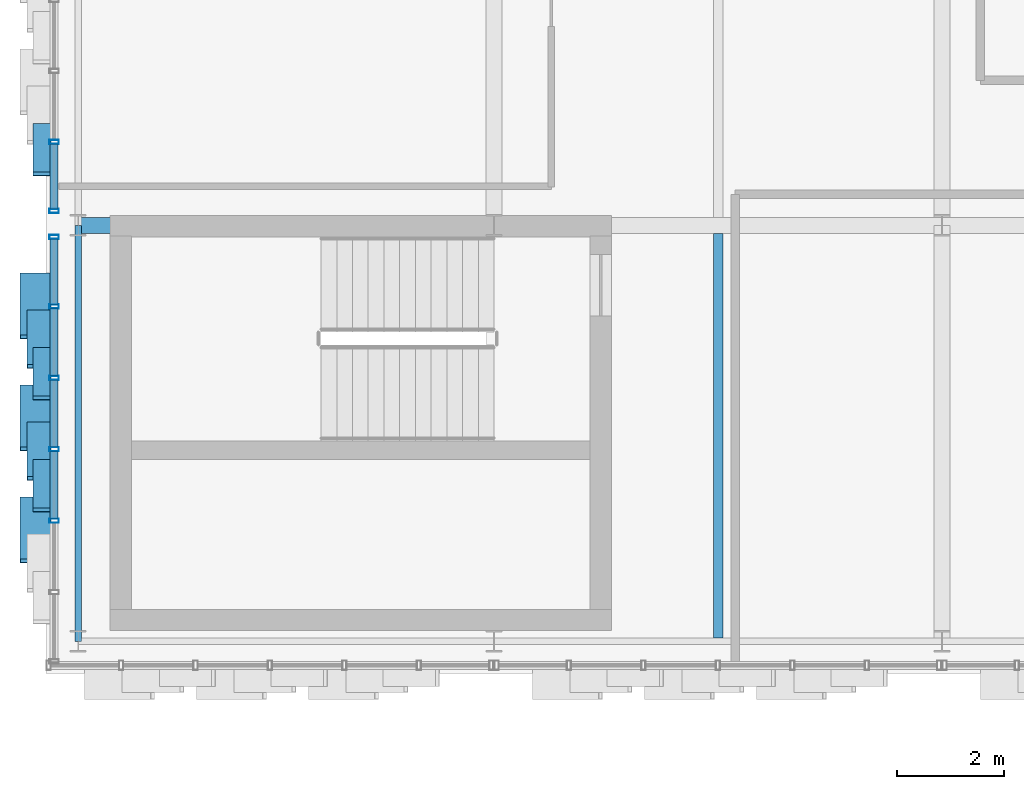
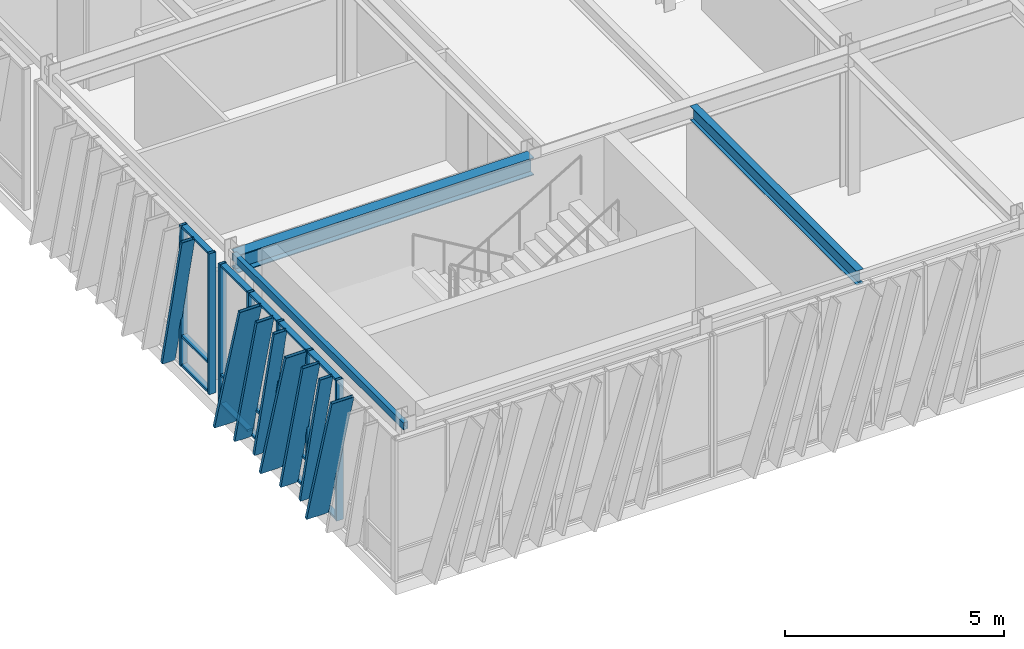
# One storey, part 34 of 127: 30 members, 3 beams, 2 elements without a shape of their own.
"""IFC4 building model written with IfcOpenShell, lengths in metres."""

from ifc_helpers import new_model, si_unit, direction, frame, origin, origin_2d, place, context, subcontext, project, spatial, hollow_rectangle, i_section, extrude, material, layer, layer_set, material_profile, profile_set, type_object, element, aggregate, save


model = new_model("IFC4")

# Units and contexts
model_context = context("Model", 3, precision=1e-05, world=origin(), true_north=direction((0.0, 1.0)))
body_context = subcontext(model_context, "Body", "Model", "MODEL_VIEW")
ifc_project = project(units=[si_unit("LENGTHUNIT", "METRE"), si_unit("AREAUNIT", "SQUARE_METRE"), si_unit("VOLUMEUNIT", "CUBIC_METRE"), si_unit("PLANEANGLEUNIT", "RADIAN"), si_unit("MASSUNIT", "GRAM", prefix="KILO")], contexts=[model_context])

# Site, building, storey
site_placement = place(None, origin())
site = spatial("IfcSite", under=ifc_project, at=site_placement, CompositionType="ELEMENT")
building_placement = place(site_placement, origin())
building = spatial("IfcBuilding", under=site, at=building_placement, Name="Zayran Congress Hotel", CompositionType="ELEMENT")
storey_placement = place(building_placement, frame((0.0, 0.0, 10.800048828125)))
storey = spatial("IfcBuildingStorey", under=building, at=storey_placement, Name="L02", CompositionType="ELEMENT", Elevation=10.800048828125)

# Beams
ifc_material_1 = material(Name="Steel S355", Category="steel")
ifc_material_profile_1 = material_profile(ifc_material_1, i_section(OverallWidth=0.300048828125, OverallDepth=0.489990234375, WebThickness=0.011962890625, FlangeThickness=0.02294921875, at=origin_2d()), Name="HEA 500")
ifc_profile_set_1 = profile_set([ifc_material_profile_1], Name="Steel S355")
beam_type_1 = type_object("IfcBeamType", Name="TP-BM-05", PredefinedType="BEAM", material=ifc_profile_set_1)
beam_1_placement = place(storey_placement, frame((9.0, 76.0, 3.675048828125), z_axis=(1.0, 0.0, 0.0), x_axis=(0.0, 1.0, 0.0)))
element("IfcBeam", 1, at=beam_1_placement, inside=storey, type_object=beam_type_1, Name="BM-V1-L02-0662", PredefinedType="BEAM", context=body_context, shape_type="SweptSolid", body=[
    extrude(i_section(OverallWidth=0.300048828125, OverallDepth=0.489990234375, WebThickness=0.011962890625, FlangeThickness=0.02294921875, at=origin_2d()), origin(), (0.0, 0.0, 1.0), 7.800048828125),
])
ifc_material_profile_2 = material_profile(ifc_material_1, i_section(OverallWidth=0.179931640625, OverallDepth=0.39990234375, WebThickness=0.008544921875, FlangeThickness=0.013427734375, at=origin_2d()), Name="IPE 400")
ifc_profile_set_2 = profile_set([ifc_material_profile_2], Name="Steel S355")
beam_type_2 = type_object("IfcBeamType", Name="TP-JS-03", PredefinedType="JOIST", material=ifc_profile_set_2)
beam_2_placement = place(storey_placement, frame((21.0, 68.260009765625, 3.719970703125), z_axis=(0.0, 1.0, 0.0), x_axis=(-1.0, 0.0, 0.0)))
element("IfcBeam", 2, at=beam_2_placement, inside=storey, type_object=beam_type_2, Name="JST-V1-L02-0759", PredefinedType="JOIST", context=body_context, shape_type="SweptSolid", body=[
    extrude(i_section(OverallWidth=0.179931640625, OverallDepth=0.39990234375, WebThickness=0.008544921875, FlangeThickness=0.013427734375, at=origin_2d()), origin(), (0.0, 0.0, 1.0), 7.590087890625),
])
ifc_material_profile_3 = material_profile(ifc_material_1, hollow_rectangle(XDim=0.1201171875, YDim=0.199951171875, WallThickness=0.008056640625, at=origin_2d()), Name="RHS 200x120x8")
ifc_profile_set_3 = profile_set([ifc_material_profile_3], Name="Steel S355")
beam_type_3 = type_object("IfcBeamType", Name="TP-SP-02", PredefinedType="SPANDREL", material=ifc_profile_set_3)
beam_3_placement = place(storey_placement, frame((9.0, 68.199951171875, 3.820068359375), z_axis=(0.0, 1.0, 0.0), x_axis=(-1.0, 0.0, 0.0)))
element("IfcBeam", 3, at=beam_3_placement, inside=storey, type_object=beam_type_3, Name="BM-V1-L02-0710", PredefinedType="SPANDREL", context=body_context, shape_type="SweptSolid", body=[
    extrude(hollow_rectangle(XDim=0.1201171875, YDim=0.199951171875, WallThickness=0.008056640625, at=origin_2d()), origin(), (0.0, 0.0, 1.0), 7.800048828125),
])

# Curtain wall, members
ifc_material_2 = material(Name="Anodised aluminium and low-E insulated glass", Category="aluminium")
ifc_layer_1 = layer(ifc_material_2, 0.179931640625)
ifc_layer_set_1 = layer_set([ifc_layer_1], Name="Anodised aluminium and low-E insulated glass")
curtain_wall_type_1 = type_object("IfcCurtainWallType", Name="CW-V1W-L02-CW-31-8040-3920", PredefinedType="USERDEFINED", material=ifc_layer_set_1)
curtain_wall_1_placement = place(storey_placement, origin())
curtain_wall_1 = element("IfcCurtainWall", 4, at=curtain_wall_1_placement, inside=storey, type_object=curtain_wall_type_1, Name="CW-V1W-L02-0", ObjectType="CURTAIN WALL", PredefinedType="USERDEFINED")
ifc_material_3 = material(Name="Anodised aluminium framing", Category="aluminium")
ifc_material_profile_4 = material_profile(ifc_material_3, hollow_rectangle(XDim=0.080078125, YDim=0.179931640625, WallThickness=0.0048828125, at=origin_2d()), Name="RHS 180x80x5")
ifc_profile_set_4 = profile_set([ifc_material_profile_4], Name="Anodised aluminium framing")
member_type_1 = type_object("IfcMemberType", Name="TP-CWM-01", PredefinedType="MULLION", material=ifc_profile_set_4)
member_1_placement = place(storey_placement, frame((8.550048828125, 75.780029296875, 0.0), z_axis=(0.0, 0.0, 1.0), x_axis=(0.0, 1.0, 0.0)))
member_1 = element("IfcMember", 5, at=member_1_placement, type_object=member_type_1, Name="CW-V1W-L02-0-M00", PredefinedType="MULLION", context=body_context, shape_type="SweptSolid", body=[
    extrude(hollow_rectangle(XDim=0.080078125, YDim=0.179931640625, WallThickness=0.0048828125, at=origin_2d()), origin(), (0.0, 0.0, 1.0), 3.919921875),
])
member_2_placement = place(storey_placement, frame((8.550048828125, 74.47998046875, 0.0), z_axis=(0.0, 0.0, 1.0), x_axis=(0.0, 1.0, 0.0)))
member_2 = element("IfcMember", 6, at=member_2_placement, type_object=member_type_1, Name="CW-V1W-L02-0-M01", PredefinedType="MULLION", context=body_context, shape_type="SweptSolid", body=[
    extrude(hollow_rectangle(XDim=0.080078125, YDim=0.179931640625, WallThickness=0.0048828125, at=origin_2d()), origin(), (0.0, 0.0, 1.0), 3.919921875),
])
member_3_placement = place(storey_placement, frame((8.550048828125, 73.139892578125, 0.0), z_axis=(0.0, 0.0, 1.0), x_axis=(0.0, 1.0, 0.0)))
member_3 = element("IfcMember", 7, at=member_3_placement, type_object=member_type_1, Name="CW-V1W-L02-0-M02", PredefinedType="MULLION", context=body_context, shape_type="SweptSolid", body=[
    extrude(hollow_rectangle(XDim=0.080078125, YDim=0.179931640625, WallThickness=0.0048828125, at=origin_2d()), origin(), (0.0, 0.0, 1.0), 3.919921875),
])
member_4_placement = place(storey_placement, frame((8.550048828125, 71.800048828125, 0.0), z_axis=(0.0, 0.0, 1.0), x_axis=(0.0, 1.0, 0.0)))
member_4 = element("IfcMember", 8, at=member_4_placement, type_object=member_type_1, Name="CW-V1W-L02-0-M03", PredefinedType="MULLION", context=body_context, shape_type="SweptSolid", body=[
    extrude(hollow_rectangle(XDim=0.080078125, YDim=0.179931640625, WallThickness=0.0048828125, at=origin_2d()), origin(), (0.0, 0.0, 1.0), 3.919921875),
])
member_5_placement = place(storey_placement, frame((8.550048828125, 70.4599609375, 0.0), z_axis=(0.0, 0.0, 1.0), x_axis=(0.0, 1.0, 0.0)))
member_5 = element("IfcMember", 9, at=member_5_placement, type_object=member_type_1, Name="CW-V1W-L02-0-M04", PredefinedType="MULLION", context=body_context, shape_type="SweptSolid", body=[
    extrude(hollow_rectangle(XDim=0.080078125, YDim=0.179931640625, WallThickness=0.0048828125, at=origin_2d()), origin(), (0.0, 0.0, 1.0), 3.919921875),
])

ifc_layer_2 = layer(ifc_material_2, 0.179931640625)
ifc_layer_set_2 = layer_set([ifc_layer_2], Name="Anodised aluminium and low-E insulated glass")
curtain_wall_type_2 = type_object("IfcCurtainWallType", Name="CW-V1W-L02-CW-32-7990-3920", PredefinedType="USERDEFINED", material=ifc_layer_set_2)
curtain_wall_2_placement = place(storey_placement, origin())
curtain_wall_2 = element("IfcCurtainWall", 10, at=curtain_wall_2_placement, inside=storey, type_object=curtain_wall_type_2, Name="CW-V1W-L02-1", ObjectType="CURTAIN WALL", PredefinedType="USERDEFINED")
member_6_placement = place(storey_placement, frame((8.550048828125, 77.561767578125, 0.0), z_axis=(0.0, 0.0, 1.0), x_axis=(0.0, 1.0, 0.0)))
member_6 = element("IfcMember", 11, at=member_6_placement, type_object=member_type_1, Name="CW-V1W-L02-1-M05", PredefinedType="MULLION", context=body_context, shape_type="SweptSolid", body=[
    extrude(hollow_rectangle(XDim=0.080078125, YDim=0.179931640625, WallThickness=0.0048828125, at=origin_2d()), origin(), (0.0, 0.0, 1.0), 3.919921875),
])
member_7_placement = place(storey_placement, frame((8.550048828125, 76.27001953125, 0.0), z_axis=(0.0, 0.0, 1.0), x_axis=(0.0, 1.0, 0.0)))
member_7 = element("IfcMember", 12, at=member_7_placement, type_object=member_type_1, Name="CW-V1W-L02-1-M06", PredefinedType="MULLION", context=body_context, shape_type="SweptSolid", body=[
    extrude(hollow_rectangle(XDim=0.080078125, YDim=0.179931640625, WallThickness=0.0048828125, at=origin_2d()), origin(), (0.0, 0.0, 1.0), 3.919921875),
])

# Member
ifc_material_profile_5 = material_profile(ifc_material_3, hollow_rectangle(XDim=0.06005859375, YDim=0.14990234375, WallThickness=0.00390625, at=origin_2d()), Name="RHS 150x60x4")
ifc_profile_set_5 = profile_set([ifc_material_profile_5], Name="Anodised aluminium framing")
member_type_2 = type_object("IfcMemberType", Name="TP-CWT-01", PredefinedType="USERDEFINED", material=ifc_profile_set_5)
member_8_placement = place(storey_placement, frame((8.550048828125, 75.739990234375, 0.030029296875), z_axis=(0.0, -1.0, 0.0), x_axis=(0.0, 0.0, 1.0)))
member_8 = element("IfcMember", 13, at=member_8_placement, type_object=member_type_2, Name="CW-V1W-L02-0-T00-0", ObjectType="TRANSOM", PredefinedType="USERDEFINED", context=body_context, shape_type="SweptSolid", body=[
    extrude(hollow_rectangle(XDim=0.06005859375, YDim=0.14990234375, WallThickness=0.00390625, at=origin_2d()), origin(), (0.0, 0.0, 1.0), 1.219970703125),
])

member_9_placement = place(storey_placement, frame((8.550048828125, 75.739990234375, 0.83984375), z_axis=(0.0, -1.0, 0.0), x_axis=(0.0, 0.0, 1.0)))
member_9 = element("IfcMember", 14, at=member_9_placement, type_object=member_type_2, Name="CW-V1W-L02-0-T00-1", ObjectType="TRANSOM", PredefinedType="USERDEFINED", context=body_context, shape_type="SweptSolid", body=[
    extrude(hollow_rectangle(XDim=0.06005859375, YDim=0.14990234375, WallThickness=0.00390625, at=origin_2d()), origin(), (0.0, 0.0, 1.0), 1.219970703125),
])

member_10_placement = place(storey_placement, frame((8.550048828125, 75.739990234375, 3.889892578125), z_axis=(0.0, -1.0, 0.0), x_axis=(0.0, 0.0, 1.0)))
member_10 = element("IfcMember", 15, at=member_10_placement, type_object=member_type_2, Name="CW-V1W-L02-0-T00-2", ObjectType="TRANSOM", PredefinedType="USERDEFINED", context=body_context, shape_type="SweptSolid", body=[
    extrude(hollow_rectangle(XDim=0.06005859375, YDim=0.14990234375, WallThickness=0.00390625, at=origin_2d()), origin(), (0.0, 0.0, 1.0), 1.219970703125),
])

member_11_placement = place(storey_placement, frame((8.550048828125, 74.43994140625, 0.030029296875), z_axis=(0.0, -1.0, 0.0), x_axis=(0.0, 0.0, 1.0)))
member_11 = element("IfcMember", 16, at=member_11_placement, type_object=member_type_2, Name="CW-V1W-L02-0-T01-0", ObjectType="TRANSOM", PredefinedType="USERDEFINED", context=body_context, shape_type="SweptSolid", body=[
    extrude(hollow_rectangle(XDim=0.06005859375, YDim=0.14990234375, WallThickness=0.00390625, at=origin_2d()), origin(), (0.0, 0.0, 1.0), 1.260009765625),
])

member_12_placement = place(storey_placement, frame((8.550048828125, 74.43994140625, 0.83984375), z_axis=(0.0, -1.0, 0.0), x_axis=(0.0, 0.0, 1.0)))
member_12 = element("IfcMember", 17, at=member_12_placement, type_object=member_type_2, Name="CW-V1W-L02-0-T01-1", ObjectType="TRANSOM", PredefinedType="USERDEFINED", context=body_context, shape_type="SweptSolid", body=[
    extrude(hollow_rectangle(XDim=0.06005859375, YDim=0.14990234375, WallThickness=0.00390625, at=origin_2d()), origin(), (0.0, 0.0, 1.0), 1.260009765625),
])

member_13_placement = place(storey_placement, frame((8.550048828125, 74.43994140625, 3.889892578125), z_axis=(0.0, -1.0, 0.0), x_axis=(0.0, 0.0, 1.0)))
member_13 = element("IfcMember", 18, at=member_13_placement, type_object=member_type_2, Name="CW-V1W-L02-0-T01-2", ObjectType="TRANSOM", PredefinedType="USERDEFINED", context=body_context, shape_type="SweptSolid", body=[
    extrude(hollow_rectangle(XDim=0.06005859375, YDim=0.14990234375, WallThickness=0.00390625, at=origin_2d()), origin(), (0.0, 0.0, 1.0), 1.260009765625),
])

member_14_placement = place(storey_placement, frame((8.550048828125, 73.10009765625, 0.030029296875), z_axis=(0.0, -1.0, 0.0), x_axis=(0.0, 0.0, 1.0)))
member_14 = element("IfcMember", 19, at=member_14_placement, type_object=member_type_2, Name="CW-V1W-L02-0-T02-0", ObjectType="TRANSOM", PredefinedType="USERDEFINED", context=body_context, shape_type="SweptSolid", body=[
    extrude(hollow_rectangle(XDim=0.06005859375, YDim=0.14990234375, WallThickness=0.00390625, at=origin_2d()), origin(), (0.0, 0.0, 1.0), 1.260009765625),
])

member_15_placement = place(storey_placement, frame((8.550048828125, 73.10009765625, 0.83984375), z_axis=(0.0, -1.0, 0.0), x_axis=(0.0, 0.0, 1.0)))
member_15 = element("IfcMember", 20, at=member_15_placement, type_object=member_type_2, Name="CW-V1W-L02-0-T02-1", ObjectType="TRANSOM", PredefinedType="USERDEFINED", context=body_context, shape_type="SweptSolid", body=[
    extrude(hollow_rectangle(XDim=0.06005859375, YDim=0.14990234375, WallThickness=0.00390625, at=origin_2d()), origin(), (0.0, 0.0, 1.0), 1.260009765625),
])

member_16_placement = place(storey_placement, frame((8.550048828125, 73.10009765625, 3.889892578125), z_axis=(0.0, -1.0, 0.0), x_axis=(0.0, 0.0, 1.0)))
member_16 = element("IfcMember", 21, at=member_16_placement, type_object=member_type_2, Name="CW-V1W-L02-0-T02-2", ObjectType="TRANSOM", PredefinedType="USERDEFINED", context=body_context, shape_type="SweptSolid", body=[
    extrude(hollow_rectangle(XDim=0.06005859375, YDim=0.14990234375, WallThickness=0.00390625, at=origin_2d()), origin(), (0.0, 0.0, 1.0), 1.260009765625),
])

member_17_placement = place(storey_placement, frame((8.550048828125, 71.760009765625, 0.030029296875), z_axis=(0.0, -1.0, 0.0), x_axis=(0.0, 0.0, 1.0)))
member_17 = element("IfcMember", 22, at=member_17_placement, type_object=member_type_2, Name="CW-V1W-L02-0-T03-0", ObjectType="TRANSOM", PredefinedType="USERDEFINED", context=body_context, shape_type="SweptSolid", body=[
    extrude(hollow_rectangle(XDim=0.06005859375, YDim=0.14990234375, WallThickness=0.00390625, at=origin_2d()), origin(), (0.0, 0.0, 1.0), 1.260009765625),
])

member_18_placement = place(storey_placement, frame((8.550048828125, 71.760009765625, 0.83984375), z_axis=(0.0, -1.0, 0.0), x_axis=(0.0, 0.0, 1.0)))
member_18 = element("IfcMember", 23, at=member_18_placement, type_object=member_type_2, Name="CW-V1W-L02-0-T03-1", ObjectType="TRANSOM", PredefinedType="USERDEFINED", context=body_context, shape_type="SweptSolid", body=[
    extrude(hollow_rectangle(XDim=0.06005859375, YDim=0.14990234375, WallThickness=0.00390625, at=origin_2d()), origin(), (0.0, 0.0, 1.0), 1.260009765625),
])

member_19_placement = place(storey_placement, frame((8.550048828125, 71.760009765625, 3.889892578125), z_axis=(0.0, -1.0, 0.0), x_axis=(0.0, 0.0, 1.0)))
member_19 = element("IfcMember", 24, at=member_19_placement, type_object=member_type_2, Name="CW-V1W-L02-0-T03-2", ObjectType="TRANSOM", PredefinedType="USERDEFINED", context=body_context, shape_type="SweptSolid", body=[
    extrude(hollow_rectangle(XDim=0.06005859375, YDim=0.14990234375, WallThickness=0.00390625, at=origin_2d()), origin(), (0.0, 0.0, 1.0), 1.260009765625),
])

member_20_placement = place(storey_placement, frame((8.550048828125, 77.521728515625, 0.030029296875), z_axis=(0.0, -1.0, 0.0), x_axis=(0.0, 0.0, 1.0)))
member_20 = element("IfcMember", 25, at=member_20_placement, type_object=member_type_2, Name="CW-V1W-L02-1-T05-0", ObjectType="TRANSOM", PredefinedType="USERDEFINED", context=body_context, shape_type="SweptSolid", body=[
    extrude(hollow_rectangle(XDim=0.06005859375, YDim=0.14990234375, WallThickness=0.00390625, at=origin_2d()), origin(), (0.0, 0.0, 1.0), 1.211669921875),
])

member_21_placement = place(storey_placement, frame((8.550048828125, 77.521728515625, 0.83984375), z_axis=(0.0, -1.0, 0.0), x_axis=(0.0, 0.0, 1.0)))
member_21 = element("IfcMember", 26, at=member_21_placement, type_object=member_type_2, Name="CW-V1W-L02-1-T05-1", ObjectType="TRANSOM", PredefinedType="USERDEFINED", context=body_context, shape_type="SweptSolid", body=[
    extrude(hollow_rectangle(XDim=0.06005859375, YDim=0.14990234375, WallThickness=0.00390625, at=origin_2d()), origin(), (0.0, 0.0, 1.0), 1.211669921875),
])

member_22_placement = place(storey_placement, frame((8.550048828125, 77.521728515625, 3.889892578125), z_axis=(0.0, -1.0, 0.0), x_axis=(0.0, 0.0, 1.0)))
member_22 = element("IfcMember", 27, at=member_22_placement, type_object=member_type_2, Name="CW-V1W-L02-1-T05-2", ObjectType="TRANSOM", PredefinedType="USERDEFINED", context=body_context, shape_type="SweptSolid", body=[
    extrude(hollow_rectangle(XDim=0.06005859375, YDim=0.14990234375, WallThickness=0.00390625, at=origin_2d()), origin(), (0.0, 0.0, 1.0), 1.211669921875),
])

ifc_material_4 = material(Name="Warm bronze anodised aluminium", Category="aluminium")
ifc_material_profile_6 = material_profile(ifc_material_4, hollow_rectangle(XDim=0.080078125, YDim=0.580078125, WallThickness=0.006103515625, at=origin_2d()), Name="RHS 580x80x6")
ifc_profile_set_6 = profile_set([ifc_material_profile_6], Name="Warm bronze anodised aluminium")
member_type_3 = type_object("IfcMemberType", Name="TP-RFN-01", PredefinedType="MULLION", material=ifc_profile_set_6)
member_23_placement = place(storey_placement, frame((8.199951171875, 75.070068359375, 0.0), z_axis=(0.0, -0.284070030724, 0.958803534435), x_axis=(0.0, 0.958803534435, 0.284070030724)))
member_23 = element("IfcMember", 28, at=member_23_placement, type_object=member_type_3, Name="Slanting Reed Mullion CW-31-01", PredefinedType="MULLION", context=body_context, shape_type="SweptSolid", body=[
    extrude(hollow_rectangle(XDim=0.080078125, YDim=0.580078125, WallThickness=0.006103515625, at=origin_2d()), origin(), (0.0, 0.0, 1.0), 4.08837890625),
])

member_24_placement = place(storey_placement, frame((8.199951171875, 72.969970703125, 0.0), z_axis=(0.0, -0.28401513196, 0.958819797886), x_axis=(0.0, 0.958819797886, 0.28401513196)))
member_24 = element("IfcMember", 29, at=member_24_placement, type_object=member_type_3, Name="Slanting Reed Mullion CW-31-04", PredefinedType="MULLION", context=body_context, shape_type="SweptSolid", body=[
    extrude(hollow_rectangle(XDim=0.080078125, YDim=0.580078125, WallThickness=0.006103515625, at=origin_2d()), origin(), (0.0, 0.0, 1.0), 4.08837890625),
])

member_25_placement = place(storey_placement, frame((8.199951171875, 70.8701171875, 0.0), z_axis=(0.0, -0.284070030724, 0.958803534435), x_axis=(0.0, 0.958803534435, 0.284070030724)))
member_25 = element("IfcMember", 30, at=member_25_placement, type_object=member_type_3, Name="Slanting Reed Mullion CW-31-07", PredefinedType="MULLION", context=body_context, shape_type="SweptSolid", body=[
    extrude(hollow_rectangle(XDim=0.080078125, YDim=0.580078125, WallThickness=0.006103515625, at=origin_2d()), origin(), (0.0, 0.0, 1.0), 4.08837890625),
])

ifc_material_profile_7 = material_profile(ifc_material_4, hollow_rectangle(XDim=0.080078125, YDim=0.449951171875, WallThickness=0.006103515625, at=origin_2d()), Name="RHS 450x80x6")
ifc_profile_set_7 = profile_set([ifc_material_profile_7], Name="Warm bronze anodised aluminium")
member_type_4 = type_object("IfcMemberType", Name="TP-RFN-02", PredefinedType="MULLION", material=ifc_profile_set_7)
member_26_placement = place(storey_placement, frame((8.264892578125, 74.3701171875, 0.0), z_axis=(0.0, -0.250415952743, 0.968138342703), x_axis=(0.0, 0.968138342703, 0.250415952743)))
member_26 = element("IfcMember", 31, at=member_26_placement, type_object=member_type_4, Name="Slanting Reed Mullion CW-31-02", PredefinedType="MULLION", context=body_context, shape_type="SweptSolid", body=[
    extrude(hollow_rectangle(XDim=0.080078125, YDim=0.449951171875, WallThickness=0.006103515625, at=origin_2d()), origin(), (0.0, 0.0, 1.0), 4.048828125),
])

member_27_placement = place(storey_placement, frame((8.264892578125, 72.27001953125, 0.0), z_axis=(0.0, -0.250415952743, 0.968138342703), x_axis=(0.0, 0.968138342703, 0.250415952743)))
member_27 = element("IfcMember", 32, at=member_27_placement, type_object=member_type_4, Name="Slanting Reed Mullion CW-31-05", PredefinedType="MULLION", context=body_context, shape_type="SweptSolid", body=[
    extrude(hollow_rectangle(XDim=0.080078125, YDim=0.449951171875, WallThickness=0.006103515625, at=origin_2d()), origin(), (0.0, 0.0, 1.0), 4.048828125),
])

ifc_material_profile_8 = material_profile(ifc_material_4, hollow_rectangle(XDim=0.080078125, YDim=0.340087890625, WallThickness=0.006103515625, at=origin_2d()), Name="RHS 340x80x6")
ifc_profile_set_8 = profile_set([ifc_material_profile_8], Name="Warm bronze anodised aluminium")
member_type_5 = type_object("IfcMemberType", Name="TP-RFN-03", PredefinedType="MULLION", material=ifc_profile_set_8)
member_28_placement = place(storey_placement, frame((8.320068359375, 73.669921875, 0.0), z_axis=(0.0, -0.224961443605, 0.974367666177), x_axis=(0.0, 0.974367666177, 0.224961443605)))
member_28 = element("IfcMember", 33, at=member_28_placement, type_object=member_type_5, Name="Slanting Reed Mullion CW-31-03", PredefinedType="MULLION", context=body_context, shape_type="SweptSolid", body=[
    extrude(hollow_rectangle(XDim=0.080078125, YDim=0.340087890625, WallThickness=0.006103515625, at=origin_2d()), origin(), (0.0, 0.0, 1.0), 4.02294921875),
])

member_29_placement = place(storey_placement, frame((8.320068359375, 71.570068359375, 0.0), z_axis=(0.0, -0.224961443605, 0.974367666177), x_axis=(0.0, 0.974367666177, 0.224961443605)))
member_29 = element("IfcMember", 34, at=member_29_placement, type_object=member_type_5, Name="Slanting Reed Mullion CW-31-06", PredefinedType="MULLION", context=body_context, shape_type="SweptSolid", body=[
    extrude(hollow_rectangle(XDim=0.080078125, YDim=0.340087890625, WallThickness=0.006103515625, at=origin_2d()), origin(), (0.0, 0.0, 1.0), 4.02294921875),
])

aggregate(curtain_wall_1, [member_1, member_2, member_3, member_4, member_5, member_8, member_9, member_10, member_11, member_12, member_13, member_14, member_15, member_16, member_17, member_18, member_19, member_23, member_26, member_28, member_24, member_27, member_29, member_25])

member_30_placement = place(storey_placement, frame((8.320068359375, 77.8701171875, 0.0), z_axis=(0.0, -0.224961443605, 0.974367666177), x_axis=(0.0, 0.974367666177, 0.224961443605)))
member_30 = element("IfcMember", 35, at=member_30_placement, type_object=member_type_5, Name="Slanting Reed Mullion CW-32-09", PredefinedType="MULLION", context=body_context, shape_type="SweptSolid", body=[
    extrude(hollow_rectangle(XDim=0.080078125, YDim=0.340087890625, WallThickness=0.006103515625, at=origin_2d()), origin(), (0.0, 0.0, 1.0), 4.02294921875),
])

aggregate(curtain_wall_2, [member_6, member_7, member_20, member_21, member_22, member_30])

save(model, "model.ifc")
